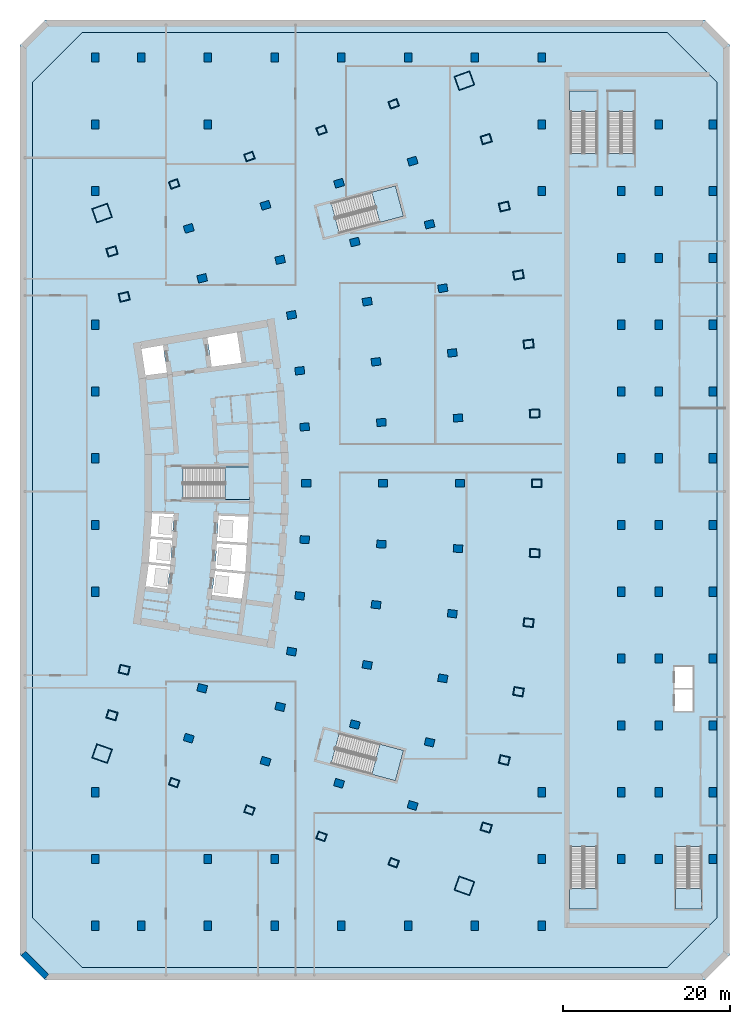
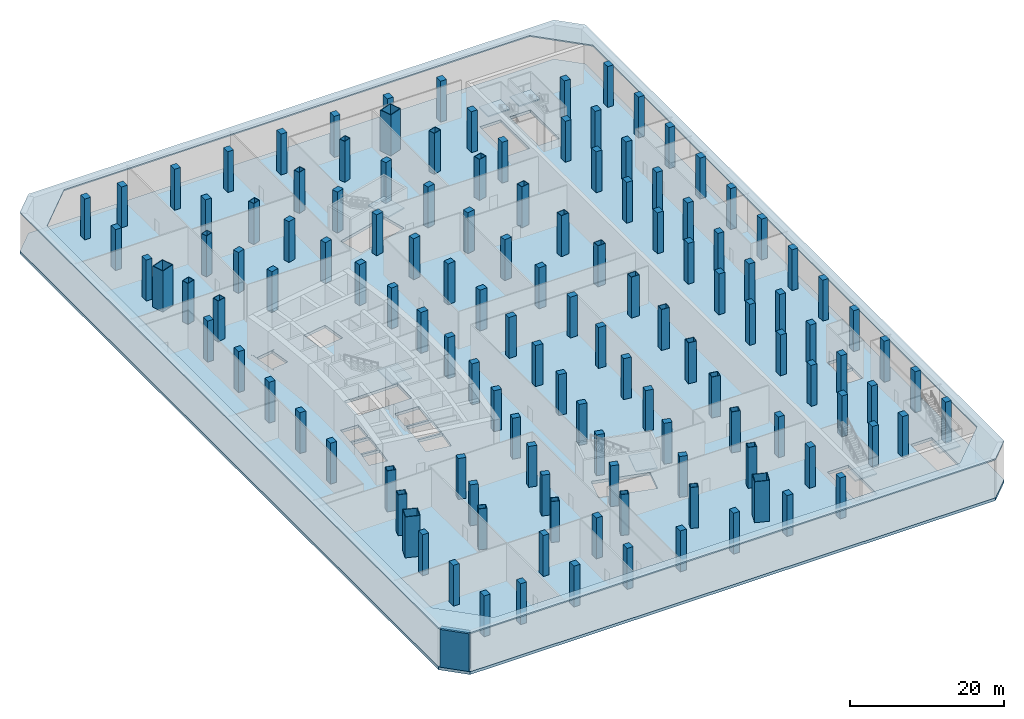
# One storey, part 1 of 16: 131 columns, 9 slabs, 1 wall, 7 elements without a shape of their own.
"""IFC4 building model written with IfcOpenShell, lengths in metres."""

from ifc_helpers import new_model, si_unit, direction, frame, frame_2d, origin, origin_2d, place, context, subcontext, project, spatial, polyline, rectangle, hollow_rectangle, outline, extrude, material, layer, layer_set, material_profile, profile_set, type_object, element, aggregate, save


model = new_model("IFC4")

# Units and contexts
model_context = context("Model", 3, precision=1e-05, world=origin(), true_north=direction((0.0, 1.0)))
body_context = subcontext(model_context, "Body", "Model", "MODEL_VIEW")
ifc_project = project(units=[si_unit("LENGTHUNIT", "METRE"), si_unit("AREAUNIT", "SQUARE_METRE"), si_unit("VOLUMEUNIT", "CUBIC_METRE"), si_unit("PLANEANGLEUNIT", "RADIAN"), si_unit("MASSUNIT", "GRAM", prefix="KILO")], contexts=[model_context])

# Site, building, storey
site_placement = place(None, origin())
site = spatial("IfcSite", under=ifc_project, at=site_placement, CompositionType="ELEMENT")
building_placement = place(site_placement, origin())
building = spatial("IfcBuilding", under=site, at=building_placement, Name="Alderwake Tower", CompositionType="ELEMENT")
storey_placement = place(building_placement, frame((0.0, 0.0, -6.5)))
storey = spatial("IfcBuildingStorey", under=building, at=storey_placement, Name="B1", CompositionType="ELEMENT", Elevation=-6.5)

# Columns
ifc_material_1 = material(Name="Steel ASTM A572 Grade 50 concrete filled C70/85", Category="concrete")
ifc_material_profile_1 = material_profile(ifc_material_1, hollow_rectangle(XDim=0.89990234375, YDim=1.10009765625, WallThickness=0.06005859375, at=origin_2d()), Name="BOX 1100X900X60")
ifc_profile_set_1 = profile_set([ifc_material_profile_1], Name="Steel ASTM A572 Grade 50 concrete filled C70/85")
column_type_1 = type_object("IfcColumnType", Name="End column Z1", PredefinedType="COLUMN", material=ifc_profile_set_1)
for number, where, z_axis, x_axis, name in (
    (1, (19.965576171875, 25.1484375, 0.0), (0.0, 0.0, 1.0), (0.337584879279, 0.9412950915, 0.0), "Column R01-C1"),
    (2, (28.983642578125, 21.856689453125, 0.0), (0.0, 0.0, 1.0), (0.338026774049, 0.941136493834, 0.0), "Column R01-C2"),
    (3, (37.6259765625, 18.701904296875, 0.0), (0.0, 0.0, 1.0), (0.338384834858, 0.941007812687, 0.0), "Column R01-C3"),
    (4, (46.268310546875, 15.547119140625, 0.0), (0.0, 0.0, 1.0), (0.338695224082, 0.940896139425, 0.0), "Column R01-C4"),
    (5, (19.965576171875, 96.8515625, 0.0), (0.0, 0.0, 1.0), (-0.337584879279, 0.9412950915, 0.0), "Column R13-C1"),
    (6, (28.983642578125, 100.143310546875, 0.0), (0.0, 0.0, 1.0), (-0.338026774049, 0.941136493834, 0.0), "Column R13-C2"),
    (7, (37.6259765625, 103.298095703125, 0.0), (0.0, 0.0, 1.0), (-0.338384834858, 0.941007812687, 0.0), "Column R13-C3"),
    (8, (46.268310546875, 106.452880859375, 0.0), (0.0, 0.0, 1.0), (-0.338695224082, 0.940896139425, 0.0), "Column R13-C4"),
):
    element("IfcColumn", number, at=place(storey_placement, frame(where, z_axis=z_axis, x_axis=x_axis)), inside=storey, type_object=column_type_1, Name=name, PredefinedType="COLUMN", context=body_context, shape_type="SweptSolid", body=[
        extrude(hollow_rectangle(XDim=0.89990234375, YDim=1.10009765625, WallThickness=0.06005859375, at=origin_2d()), origin(), (0.0, 0.0, 1.0), 6.5),
    ])
ifc_material_2 = material(Name="Concrete C70/85", Category="concrete")
ifc_material_profile_2 = material_profile(ifc_material_2, rectangle(XDim=0.89990234375, YDim=1.10009765625, at=origin_2d()), Name="RC 1100X900")
ifc_profile_set_2 = profile_set([ifc_material_profile_2], Name="Concrete C70/85")
column_type_2 = type_object("IfcColumnType", Name="Interior column Z1", PredefinedType="COLUMN", material=ifc_profile_set_2)
for number, where, z_axis, x_axis, name in (
    (9, (21.714599609375, 30.46240234375, 0.0), (0.0, 0.0, 1.0), (0.287549418125, 0.957765802342, 0.0), "Column R02-C1"),
    (10, (30.9091796875, 27.701904296875, 0.0), (0.0, 0.0, 1.0), (0.287549418125, 0.957765802342, 0.0), "Column R02-C2"),
    (11, (39.720703125, 25.056396484375, 0.0), (0.0, 0.0, 1.0), (0.287549418125, 0.957765802342, 0.0), "Column R02-C3"),
    (12, (48.5322265625, 22.410888671875, 0.0), (0.0, 0.0, 1.0), (0.287549418125, 0.957765802342, 0.0), "Column R02-C4"),
    (13, (23.322021484375, 36.444091796875, 0.0), (0.0, 0.0, 1.0), (0.231221547198, 0.972901123502, 0.0), "Column R03-C1"),
    (14, (32.661865234375, 34.224609375, 0.0), (0.0, 0.0, 1.0), (0.231221547198, 0.972901123502, 0.0), "Column R03-C2"),
    (15, (41.612548828125, 32.097412109375, 0.0), (0.0, 0.0, 1.0), (0.231221547198, 0.972901123502, 0.0), "Column R03-C3"),
    (16, (50.563232421875, 29.969970703125, 0.0), (0.0, 0.0, 1.0), (0.231221547198, 0.972901123502, 0.0), "Column R03-C4"),
    (17, (34.03125, 40.83837890625, 0.0), (0.0, 0.0, 1.0), (0.174108800747, 0.984726421654, 0.0), "Column R04-C2"),
    (18, (43.0908203125, 39.236572265625, 0.0), (0.0, 0.0, 1.0), (0.174108800747, 0.984726421654, 0.0), "Column R04-C3"),
    (19, (52.150390625, 37.634765625, 0.0), (0.0, 0.0, 1.0), (0.174108800747, 0.984726421654, 0.0), "Column R04-C4"),
    (20, (35.0126953125, 47.5205078125, 0.0), (0.0, 0.0, 1.0), (0.116402054316, 0.993202175668, 0.0), "Column R05-C2"),
    (21, (44.150390625, 46.44970703125, 0.0), (0.0, 0.0, 1.0), (0.116402054316, 0.993202175668, 0.0), "Column R05-C3"),
    (22, (53.28759765625, 45.37890625, 0.0), (0.0, 0.0, 1.0), (0.116402054316, 0.993202175668, 0.0), "Column R05-C4"),
    (23, (35.60302734375, 54.248779296875, 0.0), (0.0, 0.0, 1.0), (0.058301061284, 0.998299046505, 0.0), "Column R06-C2"),
    (24, (44.787353515625, 53.71240234375, 0.0), (0.0, 0.0, 1.0), (0.058299318924, 0.998299148258, 0.0), "Column R06-C3"),
    (25, (53.9716796875, 53.176025390625, 0.0), (0.0, 0.0, 1.0), (0.058301061284, 0.998299046505, 0.0), "Column R06-C4"),
    (26, (35.800048828125, 61.0, 0.0), (0.0, 0.0, 1.0), (0.0, 1.0, 0.0), "Column R07-C2"),
    (27, (45.0, 61.0, 0.0), (0.0, 0.0, 1.0), (0.0, 1.0, 0.0), "Column R07-C3"),
    (28, (54.199951171875, 61.0, 0.0), (0.0, 0.0, 1.0), (0.0, 1.0, 0.0), "Column R07-C4"),
    (29, (35.60302734375, 67.751220703125, 0.0), (0.0, 0.0, 1.0), (-0.058301061284, 0.998299046505, 0.0), "Column R08-C2"),
    (30, (44.787353515625, 68.28759765625, 0.0), (0.0, 0.0, 1.0), (-0.058299318924, 0.998299148258, 0.0), "Column R08-C3"),
    (31, (53.9716796875, 68.823974609375, 0.0), (0.0, 0.0, 1.0), (-0.058301061284, 0.998299046505, 0.0), "Column R08-C4"),
    (32, (35.0126953125, 74.4794921875, 0.0), (0.0, 0.0, 1.0), (-0.116402054316, 0.993202175668, 0.0), "Column R09-C2"),
    (33, (44.150390625, 75.55029296875, 0.0), (0.0, 0.0, 1.0), (-0.116402054316, 0.993202175668, 0.0), "Column R09-C3"),
    (34, (53.28759765625, 76.62109375, 0.0), (0.0, 0.0, 1.0), (-0.116402054316, 0.993202175668, 0.0), "Column R09-C4"),
    (35, (34.03125, 81.16162109375, 0.0), (0.0, 0.0, 1.0), (-0.174108800747, 0.984726421654, 0.0), "Column R10-C2"),
    (36, (43.0908203125, 82.763427734375, 0.0), (0.0, 0.0, 1.0), (-0.174108800747, 0.984726421654, 0.0), "Column R10-C3"),
    (37, (52.150390625, 84.365234375, 0.0), (0.0, 0.0, 1.0), (-0.174108800747, 0.984726421654, 0.0), "Column R10-C4"),
    (38, (23.322021484375, 85.555908203125, 0.0), (0.0, 0.0, 1.0), (-0.231221547198, 0.972901123502, 0.0), "Column R11-C1"),
    (39, (32.661865234375, 87.775390625, 0.0), (0.0, 0.0, 1.0), (-0.231221547198, 0.972901123502, 0.0), "Column R11-C2"),
    (40, (41.612548828125, 89.902587890625, 0.0), (0.0, 0.0, 1.0), (-0.231221547198, 0.972901123502, 0.0), "Column R11-C3"),
    (41, (50.563232421875, 92.030029296875, 0.0), (0.0, 0.0, 1.0), (-0.231221547198, 0.972901123502, 0.0), "Column R11-C4"),
    (42, (21.714599609375, 91.53759765625, 0.0), (0.0, 0.0, 1.0), (-0.287549418125, 0.957765802342, 0.0), "Column R12-C1"),
    (43, (30.9091796875, 94.298095703125, 0.0), (0.0, 0.0, 1.0), (-0.287549418125, 0.957765802342, 0.0), "Column R12-C2"),
    (44, (39.720703125, 96.943603515625, 0.0), (0.0, 0.0, 1.0), (-0.287549418125, 0.957765802342, 0.0), "Column R12-C3"),
    (45, (48.5322265625, 99.589111328125, 0.0), (0.0, 0.0, 1.0), (-0.287549418125, 0.957765802342, 0.0), "Column R12-C4"),
):
    element("IfcColumn", number, at=place(storey_placement, frame(where, z_axis=z_axis, x_axis=x_axis)), inside=storey, type_object=column_type_2, Name=name, PredefinedType="COLUMN", context=body_context, shape_type="SweptSolid", body=[
        extrude(rectangle(XDim=0.89990234375, YDim=1.10009765625, at=origin_2d()), origin(), (0.0, 0.0, 1.0), 6.5),
    ])
ifc_material_3 = material(Name="Steel ASTM A572 Grade 50 concrete filled C70/85", Category="concrete")
ifc_material_profile_3 = material_profile(ifc_material_3, hollow_rectangle(XDim=1.800048828125, YDim=2.0, WallThickness=0.090087890625, at=origin_2d()), Name="BOX 2000X1800X90")
ifc_profile_set_3 = profile_set([ifc_material_profile_3], Name="Steel ASTM A572 Grade 50 concrete filled C70/85")
column_type_3 = type_object("IfcColumnType", Name="Mega column Z1", PredefinedType="COLUMN", material=ifc_profile_set_3)
for number, where, z_axis, x_axis, name in (
    (46, (11.330810546875, 28.622802734375, 0.0), (0.0, 0.0, 1.0), (0.334130947791, 0.942526662609, 0.0), "Column R01-C0"),
    (47, (54.7294921875, 12.77587890625, 0.0), (0.0, 0.0, 1.0), (0.336995022772, 0.941506428351, 0.0), "Column R01-C5"),
    (48, (11.330810546875, 93.377197265625, 0.0), (0.0, 0.0, 1.0), (-0.334130947791, 0.942526662609, 0.0), "Column R13-C0"),
    (49, (54.7294921875, 109.22412109375, 0.0), (0.0, 0.0, 1.0), (-0.336995022772, 0.941506428351, 0.0), "Column R13-C5"),
):
    element("IfcColumn", number, at=place(storey_placement, frame(where, z_axis=z_axis, x_axis=x_axis)), inside=storey, type_object=column_type_3, Name=name, PredefinedType="COLUMN", context=body_context, shape_type="SweptSolid", body=[
        extrude(hollow_rectangle(XDim=1.800048828125, YDim=2.0, WallThickness=0.090087890625, at=origin_2d()), origin(), (0.0, 0.0, 1.0), 6.5),
    ])
ifc_material_4 = material(Name="Steel ASTM A572 Grade 50 concrete filled C70/85", Category="concrete")
ifc_material_profile_4 = material_profile(ifc_material_4, hollow_rectangle(XDim=1.0, YDim=1.199951171875, WallThickness=0.06005859375, at=origin_2d()), Name="BOX 1200X1000X60")
ifc_profile_set_4 = profile_set([ifc_material_profile_4], Name="Steel ASTM A572 Grade 50 concrete filled C70/85")
column_type_4 = type_object("IfcColumnType", Name="Perimeter column Z1", PredefinedType="COLUMN", material=ifc_profile_set_4)
for number, where, z_axis, x_axis, name in (
    (50, (12.520263671875, 33.222900390625, 0.0), (0.0, 0.0, 1.0), (0.287549418125, 0.957765802342, 0.0), "Column R02-C0"),
    (51, (57.343505859375, 19.765380859375, 0.0), (0.0, 0.0, 1.0), (0.287549418125, 0.957765802342, 0.0), "Column R02-C5"),
    (52, (13.982177734375, 38.6640625, 0.0), (0.0, 0.0, 1.0), (0.231221547198, 0.972901123502, 0.0), "Column R03-C0"),
    (53, (59.513916015625, 27.8427734375, 0.0), (0.0, 0.0, 1.0), (0.231221547198, 0.972901123502, 0.0), "Column R03-C5"),
    (54, (61.209716796875, 36.032958984375, 0.0), (0.0, 0.0, 1.0), (0.174108800747, 0.984726421654, 0.0), "Column R04-C5"),
    (55, (62.42529296875, 44.307861328125, 0.0), (0.0, 0.0, 1.0), (0.116402054316, 0.993202175668, 0.0), "Column R05-C5"),
    (56, (63.156005859375, 52.6396484375, 0.0), (0.0, 0.0, 1.0), (0.058301061284, 0.998299046505, 0.0), "Column R06-C5"),
    (57, (63.39990234375, 61.0, 0.0), (0.0, 0.0, 1.0), (0.0, 1.0, 0.0), "Column R07-C5"),
    (58, (63.156005859375, 69.3603515625, 0.0), (0.0, 0.0, 1.0), (-0.058301061284, 0.998299046505, 0.0), "Column R08-C5"),
    (59, (62.42529296875, 77.692138671875, 0.0), (0.0, 0.0, 1.0), (-0.116402054316, 0.993202175668, 0.0), "Column R09-C5"),
    (60, (61.209716796875, 85.967041015625, 0.0), (0.0, 0.0, 1.0), (-0.174108800747, 0.984726421654, 0.0), "Column R10-C5"),
    (61, (13.982177734375, 83.3359375, 0.0), (0.0, 0.0, 1.0), (-0.231221547198, 0.972901123502, 0.0), "Column R11-C0"),
    (62, (59.513916015625, 94.1572265625, 0.0), (0.0, 0.0, 1.0), (-0.231221547198, 0.972901123502, 0.0), "Column R11-C5"),
    (63, (12.520263671875, 88.777099609375, 0.0), (0.0, 0.0, 1.0), (-0.287549418125, 0.957765802342, 0.0), "Column R12-C0"),
    (64, (57.343505859375, 102.234619140625, 0.0), (0.0, 0.0, 1.0), (-0.287549418125, 0.957765802342, 0.0), "Column R12-C5"),
):
    element("IfcColumn", number, at=place(storey_placement, frame(where, z_axis=z_axis, x_axis=x_axis)), inside=storey, type_object=column_type_4, Name=name, PredefinedType="COLUMN", context=body_context, shape_type="SweptSolid", body=[
        extrude(hollow_rectangle(XDim=1.0, YDim=1.199951171875, WallThickness=0.06005859375, at=origin_2d()), origin(), (0.0, 0.0, 1.0), 6.5),
    ])
ifc_material_5 = material(Name="Concrete C70/85", Category="concrete")
ifc_material_profile_5 = material_profile(ifc_material_5, rectangle(XDim=0.89990234375, YDim=1.10009765625, at=origin_2d()), Name="RC 1100X900")
ifc_profile_set_5 = profile_set([ifc_material_profile_5], Name="Concrete C70/85")
column_type_5 = type_object("IfcColumnType", Name="Podium column", PredefinedType="COLUMN", material=ifc_profile_set_5)
for number, where, z_axis, x_axis, name in (
    (65, (10.5, 8.0, 0.0), (0.0, 0.0, 1.0), (1.0, 0.0, 0.0), "Column XW-YB"),
    (66, (10.5, 16.0, 0.0), (0.0, 0.0, 1.0), (1.0, 0.0, 0.0), "Column XW-YC"),
    (67, (10.5, 24.0, 0.0), (0.0, 0.0, 1.0), (1.0, 0.0, 0.0), "Column XW-YD"),
    (68, (10.5, 48.0, 0.0), (0.0, 0.0, 1.0), (1.0, 0.0, 0.0), "Column XW-YG"),
    (69, (10.5, 56.0, 0.0), (0.0, 0.0, 1.0), (1.0, 0.0, 0.0), "Column XW-YH"),
    (70, (10.5, 64.0, 0.0), (0.0, 0.0, 1.0), (1.0, 0.0, 0.0), "Column XW-YI"),
    (71, (10.5, 72.0, 0.0), (0.0, 0.0, 1.0), (1.0, 0.0, 0.0), "Column XW-YJ"),
    (72, (10.5, 80.0, 0.0), (0.0, 0.0, 1.0), (1.0, 0.0, 0.0), "Column XW-YK"),
    (73, (10.5, 96.0, 0.0), (0.0, 0.0, 1.0), (1.0, 0.0, 0.0), "Column XW-YM"),
    (74, (10.5, 104.0, 0.0), (0.0, 0.0, 1.0), (1.0, 0.0, 0.0), "Column XW-YN"),
    (75, (10.5, 112.0, 0.0), (0.0, 0.0, 1.0), (1.0, 0.0, 0.0), "Column XW-YO"),
    (76, (16.0, 8.0, 0.0), (0.0, 0.0, 1.0), (1.0, 0.0, 0.0), "Column X03-YB"),
    (77, (16.0, 112.0, 0.0), (0.0, 0.0, 1.0), (1.0, 0.0, 0.0), "Column X03-YO"),
    (78, (24.0, 8.0, 0.0), (0.0, 0.0, 1.0), (1.0, 0.0, 0.0), "Column X04-YB"),
    (79, (24.0, 16.0, 0.0), (0.0, 0.0, 1.0), (1.0, 0.0, 0.0), "Column X04-YC"),
    (80, (24.0, 104.0, 0.0), (0.0, 0.0, 1.0), (1.0, 0.0, 0.0), "Column X04-YN"),
    (81, (24.0, 112.0, 0.0), (0.0, 0.0, 1.0), (1.0, 0.0, 0.0), "Column X04-YO"),
    (82, (32.0, 8.0, 0.0), (0.0, 0.0, 1.0), (1.0, 0.0, 0.0), "Column X05-YB"),
    (83, (32.0, 16.0, 0.0), (0.0, 0.0, 1.0), (1.0, 0.0, 0.0), "Column X05-YC"),
    (84, (32.0, 112.0, 0.0), (0.0, 0.0, 1.0), (1.0, 0.0, 0.0), "Column X05-YO"),
    (85, (40.0, 8.0, 0.0), (0.0, 0.0, 1.0), (1.0, 0.0, 0.0), "Column X06-YB"),
    (86, (40.0, 112.0, 0.0), (0.0, 0.0, 1.0), (1.0, 0.0, 0.0), "Column X06-YO"),
    (87, (48.0, 8.0, 0.0), (0.0, 0.0, 1.0), (1.0, 0.0, 0.0), "Column X07-YB"),
    (88, (48.0, 112.0, 0.0), (0.0, 0.0, 1.0), (1.0, 0.0, 0.0), "Column X07-YO"),
    (89, (56.0, 8.0, 0.0), (0.0, 0.0, 1.0), (1.0, 0.0, 0.0), "Column X08-YB"),
    (90, (56.0, 112.0, 0.0), (0.0, 0.0, 1.0), (1.0, 0.0, 0.0), "Column X08-YO"),
    (91, (64.0, 8.0, 0.0), (0.0, 0.0, 1.0), (1.0, 0.0, 0.0), "Column X09-YB"),
    (92, (64.0, 16.0, 0.0), (0.0, 0.0, 1.0), (1.0, 0.0, 0.0), "Column X09-YC"),
    (93, (64.0, 24.0, 0.0), (0.0, 0.0, 1.0), (1.0, 0.0, 0.0), "Column X09-YD"),
    (94, (64.0, 96.0, 0.0), (0.0, 0.0, 1.0), (1.0, 0.0, 0.0), "Column X09-YM"),
    (95, (64.0, 104.0, 0.0), (0.0, 0.0, 1.0), (1.0, 0.0, 0.0), "Column X09-YN"),
    (96, (64.0, 112.0, 0.0), (0.0, 0.0, 1.0), (1.0, 0.0, 0.0), "Column X09-YO"),
    (97, (73.5, 16.0, 0.0), (0.0, 0.0, 1.0), (1.0, 0.0, 0.0), "Column XS1-YC"),
    (98, (73.5, 24.0, 0.0), (0.0, 0.0, 1.0), (1.0, 0.0, 0.0), "Column XS1-YD"),
    (99, (73.5, 32.0, 0.0), (0.0, 0.0, 1.0), (1.0, 0.0, 0.0), "Column XS1-YE"),
    (100, (73.5, 40.0, 0.0), (0.0, 0.0, 1.0), (1.0, 0.0, 0.0), "Column XS1-YF"),
    (101, (73.5, 48.0, 0.0), (0.0, 0.0, 1.0), (1.0, 0.0, 0.0), "Column XS1-YG"),
    (102, (73.5, 56.0, 0.0), (0.0, 0.0, 1.0), (1.0, 0.0, 0.0), "Column XS1-YH"),
    (103, (73.5, 64.0, 0.0), (0.0, 0.0, 1.0), (1.0, 0.0, 0.0), "Column XS1-YI"),
    (104, (73.5, 72.0, 0.0), (0.0, 0.0, 1.0), (1.0, 0.0, 0.0), "Column XS1-YJ"),
    (105, (73.5, 80.0, 0.0), (0.0, 0.0, 1.0), (1.0, 0.0, 0.0), "Column XS1-YK"),
    (106, (73.5, 88.0, 0.0), (0.0, 0.0, 1.0), (1.0, 0.0, 0.0), "Column XS1-YL"),
    (107, (73.5, 96.0, 0.0), (0.0, 0.0, 1.0), (1.0, 0.0, 0.0), "Column XS1-YM"),
    (108, (78.0, 16.0, 0.0), (0.0, 0.0, 1.0), (1.0, 0.0, 0.0), "Column XS2-YC"),
    (109, (78.0, 24.0, 0.0), (0.0, 0.0, 1.0), (1.0, 0.0, 0.0), "Column XS2-YD"),
    (110, (78.0, 32.0, 0.0), (0.0, 0.0, 1.0), (1.0, 0.0, 0.0), "Column XS2-YE"),
    (111, (78.0, 40.0, 0.0), (0.0, 0.0, 1.0), (1.0, 0.0, 0.0), "Column XS2-YF"),
    (112, (78.0, 48.0, 0.0), (0.0, 0.0, 1.0), (1.0, 0.0, 0.0), "Column XS2-YG"),
    (113, (78.0, 56.0, 0.0), (0.0, 0.0, 1.0), (1.0, 0.0, 0.0), "Column XS2-YH"),
    (114, (78.0, 64.0, 0.0), (0.0, 0.0, 1.0), (1.0, 0.0, 0.0), "Column XS2-YI"),
    (115, (78.0, 72.0, 0.0), (0.0, 0.0, 1.0), (1.0, 0.0, 0.0), "Column XS2-YJ"),
    (116, (78.0, 80.0, 0.0), (0.0, 0.0, 1.0), (1.0, 0.0, 0.0), "Column XS2-YK"),
    (117, (78.0, 88.0, 0.0), (0.0, 0.0, 1.0), (1.0, 0.0, 0.0), "Column XS2-YL"),
    (118, (78.0, 96.0, 0.0), (0.0, 0.0, 1.0), (1.0, 0.0, 0.0), "Column XS2-YM"),
    (119, (78.0, 104.0, 0.0), (0.0, 0.0, 1.0), (1.0, 0.0, 0.0), "Column XS2-YN"),
    (120, (84.5, 16.0, 0.0), (0.0, 0.0, 1.0), (1.0, 0.0, 0.0), "Column XE-YC"),
    (121, (84.5, 24.0, 0.0), (0.0, 0.0, 1.0), (1.0, 0.0, 0.0), "Column XE-YD"),
    (122, (84.5, 32.0, 0.0), (0.0, 0.0, 1.0), (1.0, 0.0, 0.0), "Column XE-YE"),
    (123, (84.5, 40.0, 0.0), (0.0, 0.0, 1.0), (1.0, 0.0, 0.0), "Column XE-YF"),
    (124, (84.5, 48.0, 0.0), (0.0, 0.0, 1.0), (1.0, 0.0, 0.0), "Column XE-YG"),
    (125, (84.5, 56.0, 0.0), (0.0, 0.0, 1.0), (1.0, 0.0, 0.0), "Column XE-YH"),
    (126, (84.5, 64.0, 0.0), (0.0, 0.0, 1.0), (1.0, 0.0, 0.0), "Column XE-YI"),
    (127, (84.5, 72.0, 0.0), (0.0, 0.0, 1.0), (1.0, 0.0, 0.0), "Column XE-YJ"),
    (128, (84.5, 80.0, 0.0), (0.0, 0.0, 1.0), (1.0, 0.0, 0.0), "Column XE-YK"),
    (129, (84.5, 88.0, 0.0), (0.0, 0.0, 1.0), (1.0, 0.0, 0.0), "Column XE-YL"),
    (130, (84.5, 96.0, 0.0), (0.0, 0.0, 1.0), (1.0, 0.0, 0.0), "Column XE-YM"),
    (131, (84.5, 104.0, 0.0), (0.0, 0.0, 1.0), (1.0, 0.0, 0.0), "Column XE-YN"),
):
    element("IfcColumn", number, at=place(storey_placement, frame(where, z_axis=z_axis, x_axis=x_axis)), inside=storey, type_object=column_type_5, Name=name, PredefinedType="COLUMN", context=body_context, shape_type="SweptSolid", body=[
        extrude(rectangle(XDim=0.89990234375, YDim=1.10009765625, at=origin_2d()), origin(), (0.0, 0.0, 1.0), 6.5),
    ])

# Slabs
ifc_material_6 = material(Name="Concrete C50/60", Category="concrete")
ifc_layer_1 = layer(ifc_material_6, 0.199951171875)
ifc_layer_set_1 = layer_set([ifc_layer_1], Name="Concrete C50/60 plaza edge slab 200")
slab_type_1 = type_object("IfcSlabType", Name="Concrete C50/60 plaza edge slab 200", PredefinedType="ROOF", material=ifc_layer_set_1)
slab_1_placement = place(storey_placement, frame((0.0, 0.0, 6.0)))
element("IfcSlab", 132, at=slab_1_placement, inside=storey, type_object=slab_type_1, Name="Roof slab B1 1", PredefinedType="ROOF", context=body_context, shape_type="SweptSolid", body=[
    extrude(outline(polyline([(1.5, 113.5), (4.5, 116.5), (83.5, 116.5), (86.5, 113.5), (86.5, 4.5), (83.5, 1.5), (4.5, 1.5), (1.5, 4.5), (1.5, 113.5)]), holes=[polyline([(8.989013671875, 2.9833984375), (8.990478515625, 2.982421875), (8.9921875, 2.9814453125), (8.994140625, 2.98095703125), (8.99609375, 2.98046875), (8.998046875, 2.97998046875), (9.0, 2.97998046875), (79.0, 2.97998046875), (79.001953125, 2.97998046875), (79.00390625, 2.98046875), (79.005859375, 2.98095703125), (79.0078125, 2.9814453125), (79.009521484375, 2.982421875), (79.010986328125, 2.9833984375), (79.0126953125, 2.984619140625), (79.01416015625, 2.98583984375), (85.01416015625, 8.98583984375), (85.015380859375, 8.9873046875), (85.0166015625, 8.989013671875), (85.017578125, 8.990478515625), (85.0185546875, 8.9921875), (85.01904296875, 8.994140625), (85.01953125, 8.99609375), (85.02001953125, 8.998046875), (85.02001953125, 9.0), (85.02001953125, 109.0), (85.02001953125, 109.001953125), (85.01953125, 109.00390625), (85.01904296875, 109.005859375), (85.0185546875, 109.0078125), (85.017578125, 109.009521484375), (85.0166015625, 109.010986328125), (85.015380859375, 109.0126953125), (85.01416015625, 109.01416015625), (79.01416015625, 115.01416015625), (79.0126953125, 115.015380859375), (79.010986328125, 115.0166015625), (79.009521484375, 115.017578125), (79.0078125, 115.0185546875), (79.005859375, 115.01904296875), (79.00390625, 115.01953125), (79.001953125, 115.02001953125), (79.0, 115.02001953125), (9.0, 115.02001953125), (8.998046875, 115.02001953125), (8.99609375, 115.01953125), (8.994140625, 115.01904296875), (8.9921875, 115.0185546875), (8.990478515625, 115.017578125), (8.989013671875, 115.0166015625), (8.9873046875, 115.015380859375), (8.98583984375, 115.01416015625), (2.98583984375, 109.01416015625), (2.984619140625, 109.0126953125), (2.9833984375, 109.010986328125), (2.982421875, 109.009521484375), (2.9814453125, 109.0078125), (2.98095703125, 109.005859375), (2.98046875, 109.00390625), (2.97998046875, 109.001953125), (2.97998046875, 109.0), (2.97998046875, 9.0), (2.97998046875, 8.998046875), (2.98046875, 8.99609375), (2.98095703125, 8.994140625), (2.9814453125, 8.9921875), (2.982421875, 8.990478515625), (2.9833984375, 8.989013671875), (2.984619140625, 8.9873046875), (2.98583984375, 8.98583984375), (8.98583984375, 2.98583984375), (8.9873046875, 2.984619140625), (8.989013671875, 2.9833984375)])]), origin(), (0.0, 0.0, 1.0), 0.199951171875),
])
ifc_material_7 = material(Name="Concrete C50/60", Category="concrete")
ifc_layer_2 = layer(ifc_material_7, 0.449951171875)
ifc_layer_set_2 = layer_set([ifc_layer_2], Name="Concrete C50/60 post-tensioned flat plate 450")
slab_type_2 = type_object("IfcSlabType", Name="Concrete C50/60 post-tensioned flat plate 450", PredefinedType="FLOOR", material=ifc_layer_set_2)
slab_2_placement = place(storey_placement, frame((0.0, 0.0, -0.449951171875)))
element("IfcSlab", 133, at=slab_2_placement, inside=storey, type_object=slab_type_2, Name="Floor slab B1", PredefinedType="FLOOR", context=body_context, shape_type="SweptSolid", body=[
    extrude(outline(polyline([(1.5, 4.5), (1.5, 113.5), (4.5, 116.5), (83.5, 116.5), (86.5, 113.5), (86.5, 4.5), (83.5, 1.5), (4.5, 1.5), (1.5, 4.5)]), holes=[polyline([(28.4482421875, 50.1328125), (24.87451171875, 50.48583984375), (24.878662109375, 50.52783203125), (24.875, 50.5283203125), (24.48974609375, 47.635986328125), (28.05419921875, 47.169921875), (28.4482421875, 50.1328125)]), polyline([(19.495361328125, 51.017333984375), (16.943359375, 51.26953125), (16.9580078125, 51.4189453125), (16.972900390625, 51.568115234375), (19.525146484375, 51.31591796875), (19.71630859375, 54.164794921875), (17.153564453125, 54.33642578125), (17.16357421875, 54.486083984375), (17.173583984375, 54.6357421875), (19.736083984375, 54.464111328125), (19.92724609375, 57.312744140625), (17.364013671875, 57.403564453125), (17.369140625, 57.553466796875), (17.33935546875, 57.554443359375), (17.1337890625, 54.48828125), (16.927978515625, 51.421875), (16.92822265625, 51.421875), (16.50927734375, 48.377197265625), (16.5390625, 48.373291015625), (16.577880859375, 48.6708984375), (19.138671875, 48.3359375), (19.495361328125, 51.017333984375)]), polyline([(28.669921875, 53.564453125), (25.080810546875, 53.804931640625), (24.89501953125, 50.731201171875), (24.898681640625, 50.730712890625), (24.904052734375, 50.784423828125), (28.484375, 50.4306640625), (28.669921875, 53.564453125)]), polyline([(28.687744140625, 53.864013671875), (28.873291015625, 56.99609375), (25.281494140625, 57.123291015625), (25.09912109375, 54.1044921875), (28.687744140625, 53.864013671875)]), polyline([(29.0, 59.125), (29.0, 62.875), (21.050048828125, 62.875), (21.050048828125, 59.125), (29.0, 59.125)]), polyline([(16.082275390625, 77.10546875), (15.9345703125, 77.9619140625), (15.634765625, 77.908935546875), (15.63525390625, 77.9052734375), (15.9140625, 77.9482421875), (16.57763671875, 73.631591796875), (16.607666015625, 73.635498046875), (16.56884765625, 73.93310546875), (19.111083984375, 74.265625), (18.6240234375, 77.531982421875), (18.919921875, 77.575927734375), (18.916748046875, 77.593994140625), (16.082275390625, 77.10546875)]), polyline([(28.0400390625, 75.433349609375), (27.490966796875, 79.072021484375), (23.932373046875, 78.45849609375), (23.93310546875, 78.454833984375), (23.9443359375, 78.45654296875), (24.4697265625, 74.972412109375), (24.36474609375, 74.95654296875), (24.365478515625, 74.952880859375), (28.0400390625, 75.433349609375)]), polyline([(67.449951171875, 10.0), (70.60009765625, 10.0), (70.60009765625, 17.489990234375), (67.449951171875, 17.489990234375), (67.449951171875, 10.0)]), polyline([(80.0, 10.0), (83.14990234375, 10.0), (83.14990234375, 17.489990234375), (80.0, 17.489990234375), (80.0, 10.0)]), polyline([(46.47119140625, 25.373291015625), (47.436279296875, 28.996826171875), (39.754150390625, 31.043212890625), (38.7890625, 27.41943359375), (46.47119140625, 25.373291015625)]), polyline([(82.10009765625, 33.699951171875), (82.10009765625, 36.300048828125), (79.89990234375, 36.300048828125), (79.89990234375, 33.699951171875), (82.10009765625, 33.699951171875)]), polyline([(82.10009765625, 36.449951171875), (82.10009765625, 39.050048828125), (79.89990234375, 39.050048828125), (79.89990234375, 36.449951171875), (82.10009765625, 36.449951171875)]), polyline([(47.436279296875, 93.003173828125), (46.47119140625, 96.626708984375), (38.7890625, 94.58056640625), (39.754150390625, 90.956787109375), (47.436279296875, 93.003173828125)]), polyline([(70.60009765625, 100.510009765625), (70.60009765625, 108.0), (67.449951171875, 108.0), (67.449951171875, 100.510009765625), (70.60009765625, 100.510009765625)]), polyline([(75.10009765625, 100.510009765625), (75.10009765625, 108.0), (71.949951171875, 108.0), (71.949951171875, 100.510009765625), (75.10009765625, 100.510009765625)])]), origin(), (0.0, 0.0, 1.0), 0.449951171875),
])

# Stair, slab
ifc_material_8 = material(Name="Concrete C40/50", Category="concrete")
stair_type_1 = type_object("IfcStairType", Name="Core exit stair", PredefinedType="HALF_TURN_STAIR", material=ifc_material_8)
stair_1_placement = place(storey_placement, origin())
stair_1 = element("IfcStair", 134, at=stair_1_placement, inside=storey, type_object=stair_type_1, Name="B1 Exit Stair B", PredefinedType="HALF_TURN_STAIR")
ifc_material_9 = material(Name="Concrete C40/50", Category="concrete")
ifc_layer_3 = layer(ifc_material_9, 0.199951171875)
ifc_layer_set_3 = layer_set([ifc_layer_3], Name="Core stair landing 200")
slab_type_3 = type_object("IfcSlabType", Name="Core stair landing 200", PredefinedType="LANDING", material=ifc_layer_set_3)
slab_3_placement = place(storey_placement, frame((0.0, 0.0, 3.050048828125)))
slab_3 = element("IfcSlab", 135, at=slab_3_placement, type_object=slab_type_3, Name="ST-B landing 1", PredefinedType="LANDING", context=body_context, shape_type="SweptSolid", body=[
    extrude(outline(polyline([(26.070068359375, 59.074951171875), (29.0, 59.074951171875), (29.0, 62.925048828125), (26.070068359375, 62.925048828125), (26.070068359375, 59.074951171875)])), origin(), (0.0, 0.0, 1.0), 0.199951171875),
])
aggregate(stair_1, [slab_3])

stair_2_placement = place(storey_placement, origin())
stair_2 = element("IfcStair", 136, at=stair_2_placement, inside=storey, type_object=stair_type_1, Name="B1 Exit Stair A", PredefinedType="HALF_TURN_STAIR")
slab_4_placement = place(storey_placement, frame((0.0, 0.0, 3.050048828125)))
slab_4 = element("IfcSlab", 137, at=slab_4_placement, type_object=slab_type_3, Name="ST-A landing 1", PredefinedType="LANDING", context=body_context, shape_type="SweptSolid", body=[
    extrude(outline(polyline([(44.60498046875, 92.2490234375), (47.436279296875, 93.003173828125), (46.47119140625, 96.626708984375), (43.639892578125, 95.87255859375), (44.60498046875, 92.2490234375)])), origin(), (0.0, 0.0, 1.0), 0.199951171875),
])
aggregate(stair_2, [slab_4])

stair_3_placement = place(storey_placement, origin())
stair_3 = element("IfcStair", 138, at=stair_3_placement, inside=storey, type_object=stair_type_1, Name="B1 Exit Stair C", PredefinedType="HALF_TURN_STAIR")
slab_5_placement = place(storey_placement, frame((0.0, 0.0, 3.050048828125)))
slab_5 = element("IfcSlab", 139, at=slab_5_placement, type_object=slab_type_3, Name="ST-C landing 1", PredefinedType="LANDING", context=body_context, shape_type="SweptSolid", body=[
    extrude(outline(polyline([(43.639892578125, 26.12744140625), (46.47119140625, 25.373291015625), (47.436279296875, 28.996826171875), (44.60498046875, 29.7509765625), (43.639892578125, 26.12744140625)])), origin(), (0.0, 0.0, 1.0), 0.199951171875),
])
aggregate(stair_3, [slab_5])

ifc_material_10 = material(Name="Concrete C40/50", Category="concrete")
stair_type_2 = type_object("IfcStairType", Name="Exit stair 1500 half-turn", PredefinedType="HALF_TURN_STAIR", material=ifc_material_10)
stair_4_placement = place(storey_placement, origin())
stair_4 = element("IfcStair", 140, at=stair_4_placement, inside=storey, type_object=stair_type_2, Name="B1 Station stair S1", PredefinedType="HALF_TURN_STAIR")
slab_6_placement = place(storey_placement, frame((0.0, 0.0, 3.050048828125)))
slab_6 = element("IfcSlab", 141, at=slab_6_placement, type_object=slab_type_3, Name="ST-S1 landing 1", PredefinedType="LANDING", context=body_context, shape_type="SweptSolid", body=[
    extrude(outline(polyline([(67.300048828125, 12.469970703125), (67.300048828125, 10.0), (70.60009765625, 10.0), (70.60009765625, 12.469970703125), (67.300048828125, 12.469970703125)])), origin(), (0.0, 0.0, 1.0), 0.199951171875),
])
aggregate(stair_4, [slab_6])

stair_5_placement = place(storey_placement, origin())
stair_5 = element("IfcStair", 142, at=stair_5_placement, inside=storey, type_object=stair_type_2, Name="B1 Station stair S2", PredefinedType="HALF_TURN_STAIR")
slab_7_placement = place(storey_placement, frame((0.0, 0.0, 3.050048828125)))
slab_7 = element("IfcSlab", 143, at=slab_7_placement, type_object=slab_type_3, Name="ST-S2 landing 1", PredefinedType="LANDING", context=body_context, shape_type="SweptSolid", body=[
    extrude(outline(polyline([(80.0, 12.469970703125), (80.0, 10.0), (83.14990234375, 10.0), (83.14990234375, 12.469970703125), (80.0, 12.469970703125)])), origin(), (0.0, 0.0, 1.0), 0.199951171875),
])
aggregate(stair_5, [slab_7])

stair_6_placement = place(storey_placement, origin())
stair_6 = element("IfcStair", 144, at=stair_6_placement, inside=storey, type_object=stair_type_2, Name="B1 Station stair S3", PredefinedType="HALF_TURN_STAIR")
slab_8_placement = place(storey_placement, frame((0.0, 0.0, 3.050048828125)))
slab_8 = element("IfcSlab", 145, at=slab_8_placement, type_object=slab_type_3, Name="ST-S3 landing 1", PredefinedType="LANDING", context=body_context, shape_type="SweptSolid", body=[
    extrude(outline(polyline([(70.60009765625, 105.530029296875), (70.60009765625, 108.0), (67.300048828125, 108.0), (67.300048828125, 105.530029296875), (70.60009765625, 105.530029296875)])), origin(), (0.0, 0.0, 1.0), 0.199951171875),
])
aggregate(stair_6, [slab_8])

stair_7_placement = place(storey_placement, origin())
stair_7 = element("IfcStair", 146, at=stair_7_placement, inside=storey, type_object=stair_type_2, Name="B1 Station stair S4", PredefinedType="HALF_TURN_STAIR")
slab_9_placement = place(storey_placement, frame((0.0, 0.0, 3.050048828125)))
slab_9 = element("IfcSlab", 147, at=slab_9_placement, type_object=slab_type_3, Name="ST-S4 landing 1", PredefinedType="LANDING", context=body_context, shape_type="SweptSolid", body=[
    extrude(outline(polyline([(75.10009765625, 105.530029296875), (75.10009765625, 108.0), (71.949951171875, 108.0), (71.949951171875, 105.530029296875), (75.10009765625, 105.530029296875)])), origin(), (0.0, 0.0, 1.0), 0.199951171875),
])
aggregate(stair_7, [slab_9])

# Wall
ifc_material_11 = material(Name="Concrete C50/60", Category="concrete")
ifc_layer_4 = layer(ifc_material_11, 0.800048828125)
ifc_layer_set_4 = layer_set([ifc_layer_4], Name="Basement retaining wall 800")
wall_type = type_object("IfcWallType", Name="Basement retaining wall 800", PredefinedType="SOLIDWALL", material=ifc_layer_set_4)
wall_placement = place(storey_placement, frame((4.665771484375, 1.89990234375, 0.0), z_axis=(0.0, 0.0, 1.0), x_axis=(-0.707106781187, 0.707106781187, 0.0)))
element("IfcWall", 148, at=wall_placement, inside=storey, type_object=wall_type, Name="Retaining wall 1", PredefinedType="SOLIDWALL", context=body_context, shape_type="SweptSolid", body=[
    extrude(rectangle(XDim=3.91162109375, YDim=0.800048828125, at=frame_2d((1.955810546875, 0.0))), origin(), (0.0, 0.0, 1.0), 6.0),
])

save(model, "model.ifc")
